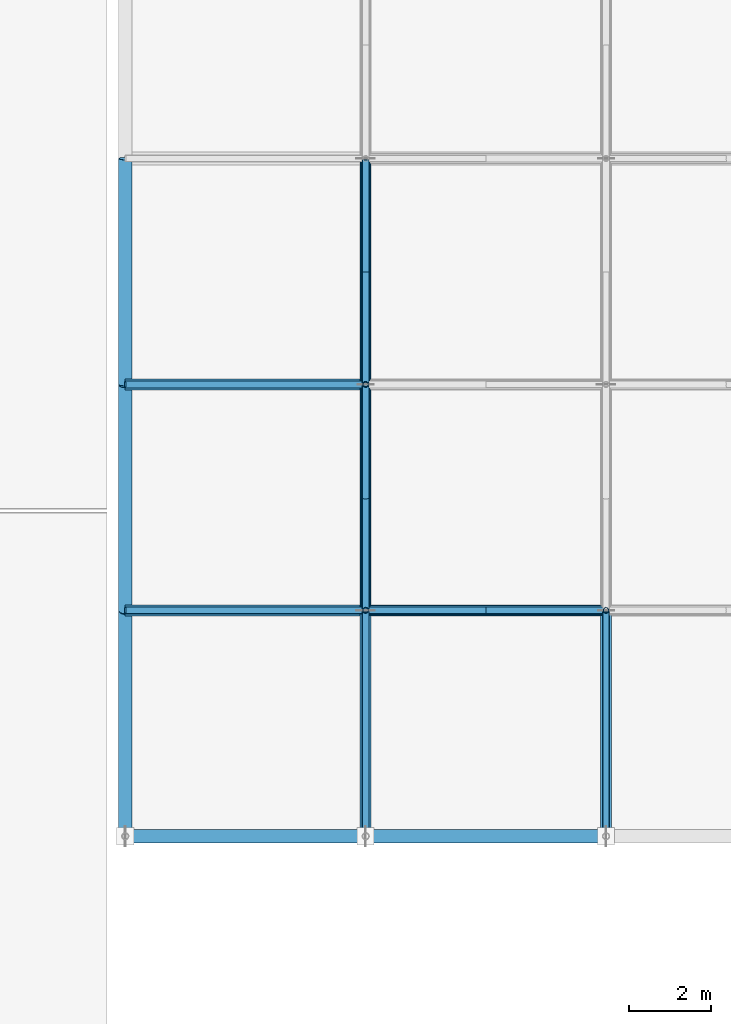
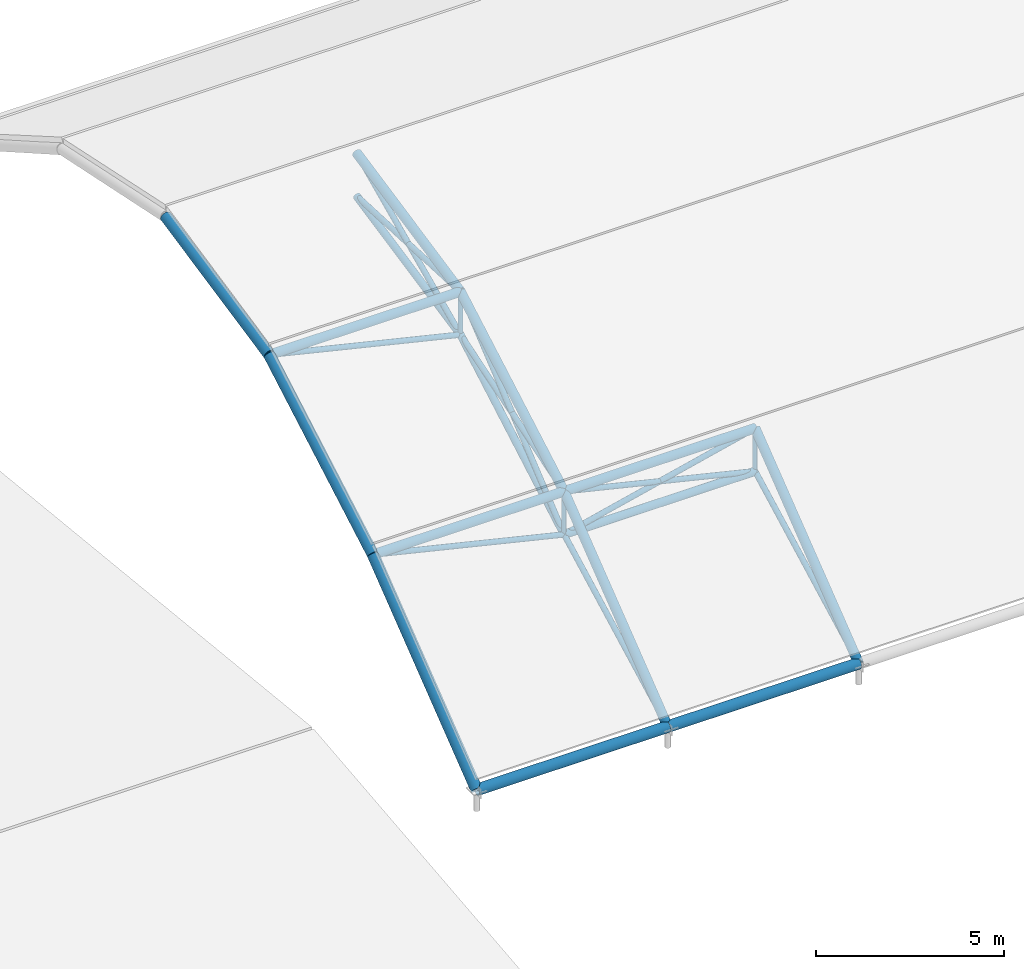
# One storey, part 1 of 82: 28 members.
"""IFC4 building model written with IfcOpenShell, lengths in metres."""

from ifc_helpers import new_model, si_unit, direction, frame, origin, origin_2d, place, context, subcontext, project, spatial, hollow_circle, extrude, material, material_profile, profile_set, type_object, element, save


model = new_model("IFC4")

# Units and contexts
model_context = context("Model", 3, precision=1e-05, world=origin(), true_north=direction((0.0, 1.0)))
body_context = subcontext(model_context, "Body", "Model", "MODEL_VIEW")
ifc_project = project(units=[si_unit("LENGTHUNIT", "METRE"), si_unit("AREAUNIT", "SQUARE_METRE"), si_unit("VOLUMEUNIT", "CUBIC_METRE"), si_unit("PLANEANGLEUNIT", "RADIAN"), si_unit("MASSUNIT", "GRAM", prefix="KILO")], contexts=[model_context])

# Site, building, storey
site_placement = place(None, origin())
site = spatial("IfcSite", under=ifc_project, at=site_placement, CompositionType="ELEMENT")
building_placement = place(site_placement, origin())
building = spatial("IfcBuilding", under=site, at=building_placement, Name="Bramfleet General Hospital", CompositionType="ELEMENT")
storey_placement = place(building_placement, frame((0.0, 0.0, 34.199951171875)))
storey = spatial("IfcBuildingStorey", under=building, at=storey_placement, Name="Roof", CompositionType="ELEMENT", Elevation=34.199951171875)

# Members
ifc_material = material(Name="Steel S355", Category="steel")
ifc_material_profile_1 = material_profile(ifc_material, hollow_circle(Radius=0.122314453125, WallThickness=0.012451171875, at=origin_2d()), Name="CHS 244.5x12.5")
ifc_profile_set_1 = profile_set([ifc_material_profile_1], Name="Steel S355")
member_type_1 = type_object("IfcMemberType", Name="MEM-SF-BC1", PredefinedType="CHORD", material=ifc_profile_set_1)
member_1_placement = place(storey_placement, frame((56.721435546875, 22.7666015625, -16.550048828125), z_axis=(1.0, 0.0, 0.0), x_axis=(0.0, 1.0, 0.0)))
element("IfcMember", 1, at=member_1_placement, inside=storey, type_object=member_type_1, Name="Space Frame Bottom Chord X 1-1", PredefinedType="CHORD", context=body_context, shape_type="SweptSolid", body=[
    extrude(hollow_circle(Radius=0.122314453125, WallThickness=0.012451171875, at=origin_2d()), origin(), (0.0, 0.0, 1.0), 5.871337890625),
])
ifc_material_profile_2 = material_profile(ifc_material, hollow_circle(Radius=0.109619140625, WallThickness=0.010009765625, at=origin_2d()), Name="CHS 219.1x10.0")
ifc_profile_set_2 = profile_set([ifc_material_profile_2], Name="Steel S355")
member_type_2 = type_object("IfcMemberType", Name="MEM-SF-BC2", PredefinedType="CHORD", material=ifc_profile_set_2)
member_2_placement = place(storey_placement, frame((56.721435546875, 22.7666015625, -16.550048828125), z_axis=(0.0, 0.868550467682, 0.495600731526), x_axis=(-1.0, 0.0, 0.0)))
element("IfcMember", 2, at=member_2_placement, inside=storey, type_object=member_type_2, Name="Space Frame Bottom Chord Y 1-1", PredefinedType="CHORD", context=body_context, shape_type="SweptSolid", body=[
    extrude(hollow_circle(Radius=0.109619140625, WallThickness=0.010009765625, at=origin_2d()), origin(), (0.0, 0.0, 1.0), 6.351806640625),
])
member_3_placement = place(storey_placement, frame((56.721435546875, 28.283447265625, -13.402099609375), z_axis=(0.0, 0.978880830839, 0.204431697678), x_axis=(-1.0, 0.0, 0.0)))
element("IfcMember", 3, at=member_3_placement, inside=storey, type_object=member_type_2, Name="Space Frame Bottom Chord Y 1-2", PredefinedType="CHORD", context=body_context, shape_type="SweptSolid", body=[
    extrude(hollow_circle(Radius=0.109619140625, WallThickness=0.010009765625, at=origin_2d()), origin(), (0.0, 0.0, 1.0), 5.6357421875),
])
ifc_material_profile_3 = material_profile(ifc_material, hollow_circle(Radius=0.084228515625, WallThickness=0.008056640625, at=origin_2d()), Name="CHS 168.3x8.0")
ifc_profile_set_3 = profile_set([ifc_material_profile_3], Name="Steel S355")
member_type_3 = type_object("IfcMemberType", Name="MEM-SF-DG1", PredefinedType="STRUT", material=ifc_profile_set_3)
for number, where, z_axis, x_axis, name in (
    (4, (56.721435546875, 22.7666015625, -16.550048828125), (-0.97272369554, 0.0, 0.231966834127), (0.0, -1.0, 0.0), "Space Frame Web Strut 1-1-W"),
    (5, (56.721435546875, 22.7666015625, -16.550048828125), (0.97272369554, 0.0, 0.231966834127), (0.0, 1.0, 0.0), "Space Frame Web Strut 1-1-E"),
):
    element("IfcMember", number, at=place(storey_placement, frame(where, z_axis=z_axis, x_axis=x_axis)), inside=storey, type_object=member_type_3, Name=name, PredefinedType="STRUT", context=body_context, shape_type="SweptSolid", body=[
        extrude(hollow_circle(Radius=0.084228515625, WallThickness=0.008056640625, at=origin_2d()), origin(), (0.0, 0.0, 1.0), 6.035888671875),
    ])
member_4_placement = place(storey_placement, frame((56.721435546875, 22.7666015625, -16.550048828125), z_axis=(0.0, -0.885154336521, -0.465297539794), x_axis=(1.0, 0.0, 0.0)))
element("IfcMember", 6, at=member_4_placement, inside=storey, type_object=member_type_3, Name="Space Frame Web Strut 1-1-S", PredefinedType="STRUT", context=body_context, shape_type="SweptSolid", body=[
    extrude(hollow_circle(Radius=0.084228515625, WallThickness=0.008056640625, at=origin_2d()), origin(), (0.0, 0.0, 1.0), 6.232421875),
])
member_5_placement = place(storey_placement, frame((56.721435546875, 22.7666015625, -16.550048828125), z_axis=(0.0, 0.771616694689, 0.636087789913), x_axis=(-1.0, 0.0, 0.0)))
element("IfcMember", 7, at=member_5_placement, inside=storey, type_object=member_type_3, Name="Space Frame Web Strut 1-1-N", PredefinedType="STRUT", context=body_context, shape_type="SweptSolid", body=[
    extrude(hollow_circle(Radius=0.084228515625, WallThickness=0.008056640625, at=origin_2d()), origin(), (0.0, 0.0, 1.0), 7.149658203125),
])
member_6_placement = place(storey_placement, frame((56.721435546875, 28.283447265625, -13.402099609375), z_axis=(-0.972732821449, 0.0, 0.231928562443), x_axis=(0.0, -1.0, 0.0)))
element("IfcMember", 8, at=member_6_placement, inside=storey, type_object=member_type_3, Name="Space Frame Web Strut 1-2-W", PredefinedType="STRUT", context=body_context, shape_type="SweptSolid", body=[
    extrude(hollow_circle(Radius=0.084228515625, WallThickness=0.008056640625, at=origin_2d()), origin(), (0.0, 0.0, 1.0), 6.035888671875),
])
member_7_placement = place(storey_placement, frame((56.721435546875, 28.283447265625, -13.402099609375), z_axis=(0.0, -0.953302351755, -0.302017592433), x_axis=(1.0, 0.0, 0.0)))
element("IfcMember", 9, at=member_7_placement, inside=storey, type_object=member_type_3, Name="Space Frame Web Strut 1-2-S", PredefinedType="STRUT", context=body_context, shape_type="SweptSolid", body=[
    extrude(hollow_circle(Radius=0.084228515625, WallThickness=0.008056640625, at=origin_2d()), origin(), (0.0, 0.0, 1.0), 5.787109375),
])
member_8_placement = place(storey_placement, frame((56.721435546875, 28.283447265625, -13.402099609375), z_axis=(0.0, 0.907575768803, 0.419888346923), x_axis=(-1.0, 0.0, 0.0)))
element("IfcMember", 10, at=member_8_placement, inside=storey, type_object=member_type_3, Name="Space Frame Web Strut 1-2-N", PredefinedType="STRUT", context=body_context, shape_type="SweptSolid", body=[
    extrude(hollow_circle(Radius=0.084228515625, WallThickness=0.008056640625, at=origin_2d()), origin(), (0.0, 0.0, 1.0), 6.078369140625),
])
member_9_placement = place(storey_placement, frame((56.721435546875, 33.800048828125, -12.25), z_axis=(0.0, -0.998992645483, 0.044874204955), x_axis=(1.0, 0.0, 0.0)))
element("IfcMember", 11, at=member_9_placement, inside=storey, type_object=member_type_3, Name="Space Frame Web Strut 1-3-S", PredefinedType="STRUT", context=body_context, shape_type="SweptSolid", body=[
    extrude(hollow_circle(Radius=0.084228515625, WallThickness=0.008056640625, at=origin_2d()), origin(), (0.0, 0.0, 1.0), 5.522216796875),
])
member_10_placement = place(storey_placement, frame((62.5927734375, 22.7666015625, -16.550048828125), z_axis=(-0.97272369554, 0.0, 0.231966834127), x_axis=(0.0, -1.0, 0.0)))
element("IfcMember", 12, at=member_10_placement, inside=storey, type_object=member_type_3, Name="Space Frame Web Strut 2-1-W", PredefinedType="STRUT", context=body_context, shape_type="SweptSolid", body=[
    extrude(hollow_circle(Radius=0.084228515625, WallThickness=0.008056640625, at=origin_2d()), origin(), (0.0, 0.0, 1.0), 6.035888671875),
])
member_11_placement = place(storey_placement, frame((62.5927734375, 22.7666015625, -16.550048828125), z_axis=(0.0, -0.885154336521, -0.465297539794), x_axis=(1.0, 0.0, 0.0)))
element("IfcMember", 13, at=member_11_placement, inside=storey, type_object=member_type_3, Name="Space Frame Web Strut 2-1-S", PredefinedType="STRUT", context=body_context, shape_type="SweptSolid", body=[
    extrude(hollow_circle(Radius=0.084228515625, WallThickness=0.008056640625, at=origin_2d()), origin(), (0.0, 0.0, 1.0), 6.232421875),
])
ifc_material_profile_4 = material_profile(ifc_material, hollow_circle(Radius=0.06982421875, WallThickness=0.008056640625, at=origin_2d()), Name="CHS 139.7x8.0")
ifc_profile_set_4 = profile_set([ifc_material_profile_4], Name="Steel S355")
member_type_4 = type_object("IfcMemberType", Name="MEM-SF-DG2", PredefinedType="STRUT", material=ifc_profile_set_4)
member_12_placement = place(storey_placement, frame((56.721435546875, 22.7666015625, -16.550048828125), z_axis=(0.0, 0.0, 1.0), x_axis=(1.0, 0.0, 0.0)))
element("IfcMember", 14, at=member_12_placement, inside=storey, type_object=member_type_4, Name="Space Frame King Strut 1-1", PredefinedType="STRUT", context=body_context, shape_type="SweptSolid", body=[
    extrude(hollow_circle(Radius=0.06982421875, WallThickness=0.008056640625, at=origin_2d()), origin(), (0.0, 0.0, 1.0), 1.400146484375),
])
member_13_placement = place(storey_placement, frame((56.721435546875, 28.283447265625, -13.402099609375), z_axis=(0.0, 0.0, 1.0), x_axis=(1.0, 0.0, 0.0)))
element("IfcMember", 15, at=member_13_placement, inside=storey, type_object=member_type_4, Name="Space Frame King Strut 1-2", PredefinedType="STRUT", context=body_context, shape_type="SweptSolid", body=[
    extrude(hollow_circle(Radius=0.06982421875, WallThickness=0.008056640625, at=origin_2d()), origin(), (0.0, 0.0, 1.0), 1.39990234375),
])
member_14_placement = place(storey_placement, frame((62.5927734375, 22.7666015625, -16.550048828125), z_axis=(0.0, 0.0, 1.0), x_axis=(1.0, 0.0, 0.0)))
element("IfcMember", 16, at=member_14_placement, inside=storey, type_object=member_type_4, Name="Space Frame King Strut 2-1", PredefinedType="STRUT", context=body_context, shape_type="SweptSolid", body=[
    extrude(hollow_circle(Radius=0.06982421875, WallThickness=0.008056640625, at=origin_2d()), origin(), (0.0, 0.0, 1.0), 1.400146484375),
])
ifc_material_profile_5 = material_profile(ifc_material, hollow_circle(Radius=0.161865234375, WallThickness=0.012451171875, at=origin_2d()), Name="CHS 323.9x12.5")
ifc_profile_set_5 = profile_set([ifc_material_profile_5], Name="Steel S355")
member_type_5 = type_object("IfcMemberType", Name="MEM-SF-TC1", PredefinedType="CHORD", material=ifc_profile_set_5)
for number, where, z_axis, x_axis, name in (
    (17, (50.85009765625, 17.25, -19.449951171875), (1.0, 0.0, 0.0), (0.0, 1.0, 0.0), "Space Frame Top Chord X 0-0"),
    (18, (56.721435546875, 17.25, -19.449951171875), (1.0, 0.0, 0.0), (0.0, 1.0, 0.0), "Space Frame Top Chord X 1-0"),
):
    element("IfcMember", number, at=place(storey_placement, frame(where, z_axis=z_axis, x_axis=x_axis)), inside=storey, type_object=member_type_5, Name=name, PredefinedType="CHORD", context=body_context, shape_type="SweptSolid", body=[
        extrude(hollow_circle(Radius=0.161865234375, WallThickness=0.012451171875, at=origin_2d()), origin(), (0.0, 0.0, 1.0), 5.871337890625),
    ])
member_15_placement = place(storey_placement, frame((50.85009765625, 17.25, -19.449951171875), z_axis=(0.0, 0.788703357865, 0.614773953004), x_axis=(-1.0, 0.0, 0.0)))
element("IfcMember", 19, at=member_15_placement, inside=storey, type_object=member_type_5, Name="Space Frame Top Chord Y 0-0", PredefinedType="CHORD", context=body_context, shape_type="SweptSolid", body=[
    extrude(hollow_circle(Radius=0.161865234375, WallThickness=0.012451171875, at=origin_2d()), origin(), (0.0, 0.0, 1.0), 6.99462890625),
])
member_16_placement = place(storey_placement, frame((50.85009765625, 22.7666015625, -15.14990234375), z_axis=(0.0, 0.868567012685, 0.495571734945), x_axis=(-1.0, 0.0, 0.0)))
element("IfcMember", 20, at=member_16_placement, inside=storey, type_object=member_type_5, Name="Space Frame Top Chord Y 0-1", PredefinedType="CHORD", context=body_context, shape_type="SweptSolid", body=[
    extrude(hollow_circle(Radius=0.161865234375, WallThickness=0.012451171875, at=origin_2d()), origin(), (0.0, 0.0, 1.0), 6.3515625),
])
member_17_placement = place(storey_placement, frame((50.85009765625, 28.283447265625, -12.002197265625), z_axis=(0.0, 0.97887216089, 0.204473207621), x_axis=(-1.0, 0.0, 0.0)))
element("IfcMember", 21, at=member_17_placement, inside=storey, type_object=member_type_5, Name="Space Frame Top Chord Y 0-2", PredefinedType="CHORD", context=body_context, shape_type="SweptSolid", body=[
    extrude(hollow_circle(Radius=0.161865234375, WallThickness=0.012451171875, at=origin_2d()), origin(), (0.0, 0.0, 1.0), 5.6357421875),
])
ifc_material_profile_6 = material_profile(ifc_material, hollow_circle(Radius=0.136474609375, WallThickness=0.012451171875, at=origin_2d()), Name="CHS 273.0x12.5")
ifc_profile_set_6 = profile_set([ifc_material_profile_6], Name="Steel S355")
member_type_6 = type_object("IfcMemberType", Name="MEM-SF-TC2", PredefinedType="CHORD", material=ifc_profile_set_6)
for number, where, z_axis, x_axis, name in (
    (22, (50.85009765625, 22.7666015625, -15.14990234375), (1.0, 0.0, 0.0), (0.0, 1.0, 0.0), "Space Frame Top Chord X 0-1"),
    (23, (50.85009765625, 28.283447265625, -12.002197265625), (1.0, 0.0, 0.0), (0.0, 1.0, 0.0), "Space Frame Top Chord X 0-2"),
    (24, (56.721435546875, 22.7666015625, -15.14990234375), (1.0, 0.0, 0.0), (0.0, 1.0, 0.0), "Space Frame Top Chord X 1-1"),
):
    element("IfcMember", number, at=place(storey_placement, frame(where, z_axis=z_axis, x_axis=x_axis)), inside=storey, type_object=member_type_6, Name=name, PredefinedType="CHORD", context=body_context, shape_type="SweptSolid", body=[
        extrude(hollow_circle(Radius=0.136474609375, WallThickness=0.012451171875, at=origin_2d()), origin(), (0.0, 0.0, 1.0), 5.871337890625),
    ])
member_18_placement = place(storey_placement, frame((56.721435546875, 17.25, -19.449951171875), z_axis=(0.0, 0.788703357865, 0.614773953004), x_axis=(-1.0, 0.0, 0.0)))
element("IfcMember", 25, at=member_18_placement, inside=storey, type_object=member_type_6, Name="Space Frame Top Chord Y 1-0", PredefinedType="CHORD", context=body_context, shape_type="SweptSolid", body=[
    extrude(hollow_circle(Radius=0.136474609375, WallThickness=0.012451171875, at=origin_2d()), origin(), (0.0, 0.0, 1.0), 6.99462890625),
])
member_19_placement = place(storey_placement, frame((56.721435546875, 22.7666015625, -15.14990234375), z_axis=(0.0, 0.868567012685, 0.495571734945), x_axis=(-1.0, 0.0, 0.0)))
element("IfcMember", 26, at=member_19_placement, inside=storey, type_object=member_type_6, Name="Space Frame Top Chord Y 1-1", PredefinedType="CHORD", context=body_context, shape_type="SweptSolid", body=[
    extrude(hollow_circle(Radius=0.136474609375, WallThickness=0.012451171875, at=origin_2d()), origin(), (0.0, 0.0, 1.0), 6.3515625),
])
member_20_placement = place(storey_placement, frame((56.721435546875, 28.283447265625, -12.002197265625), z_axis=(0.0, 0.97887216089, 0.204473207621), x_axis=(-1.0, 0.0, 0.0)))
element("IfcMember", 27, at=member_20_placement, inside=storey, type_object=member_type_6, Name="Space Frame Top Chord Y 1-2", PredefinedType="CHORD", context=body_context, shape_type="SweptSolid", body=[
    extrude(hollow_circle(Radius=0.136474609375, WallThickness=0.012451171875, at=origin_2d()), origin(), (0.0, 0.0, 1.0), 5.6357421875),
])
member_21_placement = place(storey_placement, frame((62.5927734375, 17.25, -19.449951171875), z_axis=(0.0, 0.788703357865, 0.614773953004), x_axis=(-1.0, 0.0, 0.0)))
element("IfcMember", 28, at=member_21_placement, inside=storey, type_object=member_type_6, Name="Space Frame Top Chord Y 2-0", PredefinedType="CHORD", context=body_context, shape_type="SweptSolid", body=[
    extrude(hollow_circle(Radius=0.136474609375, WallThickness=0.012451171875, at=origin_2d()), origin(), (0.0, 0.0, 1.0), 6.99462890625),
])

save(model, "model.ifc")
